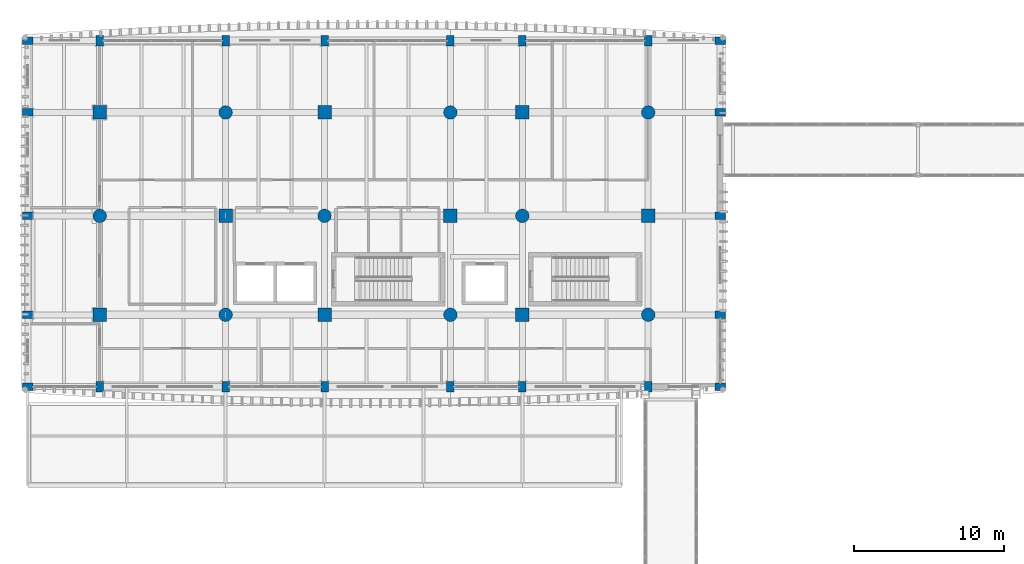
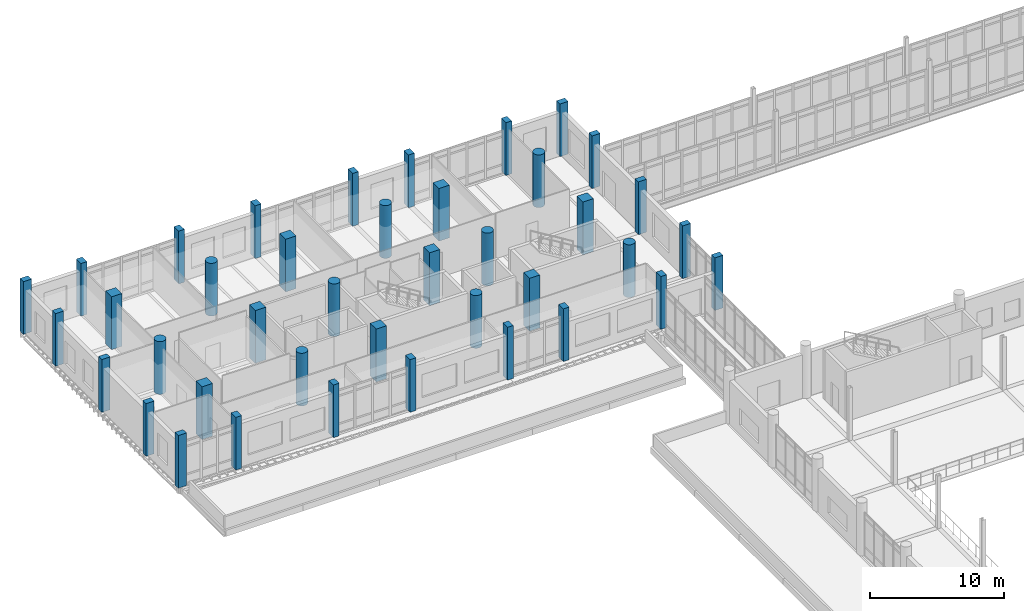
# One storey, part 7 of 125: 40 columns.
"""IFC4 building model written with IfcOpenShell, lengths in metres."""

from ifc_helpers import new_model, si_unit, direction, frame, origin, origin_2d, place, context, subcontext, project, spatial, rectangle, circle, extrude, material, material_profile, profile_set, type_object, element, save


model = new_model("IFC4")

# Units and contexts
model_context = context("Model", 3, precision=1e-05, world=origin(), true_north=direction((0.0, 1.0)))
body_context = subcontext(model_context, "Body", "Model", "MODEL_VIEW")
ifc_project = project(units=[si_unit("LENGTHUNIT", "METRE"), si_unit("AREAUNIT", "SQUARE_METRE"), si_unit("VOLUMEUNIT", "CUBIC_METRE"), si_unit("PLANEANGLEUNIT", "RADIAN"), si_unit("MASSUNIT", "GRAM", prefix="KILO")], contexts=[model_context])

# Site, building, storey
site_placement = place(None, origin())
site = spatial("IfcSite", under=ifc_project, at=site_placement, CompositionType="ELEMENT")
building_placement = place(site_placement, origin())
building = spatial("IfcBuilding", under=site, at=building_placement, Name="Dornvale Research Institute", CompositionType="ELEMENT")
storey_placement = place(building_placement, frame((0.0, 0.0, 5.39990234375)))
storey = spatial("IfcBuildingStorey", under=building, at=storey_placement, Name="L01", CompositionType="ELEMENT", Elevation=5.39990234375)

# Columns
ifc_material_1 = material(Name="Concrete f'c 50 MPa (C40/50)", Category="concrete")
ifc_material_profile_1 = material_profile(ifc_material_1, rectangle(XDim=0.89990234375, YDim=0.89990234375, at=origin_2d()), Name="RC 900x900")
ifc_profile_set_1 = profile_set([ifc_material_profile_1], Name="Concrete f'c 50 MPa (C40/50)")
column_type_1 = type_object("IfcColumnType", Name="Column_RC900", PredefinedType="COLUMN", material=ifc_profile_set_1)
for number, where, z_axis, x_axis, name in (
    (1, (4.800048828125, 103.800048828125, 0.0), (0.0, 0.0, 1.0), (1.0, 0.0, 0.0), "L01 column #87"),
    (2, (4.800048828125, 117.300048828125, 0.0), (0.0, 0.0, 1.0), (1.0, 0.0, 0.0), "L01 column #89"),
    (3, (13.199951171875, 110.39990234375, 0.0), (0.0, 0.0, 1.0), (1.0, 0.0, 0.0), "L01 column #93"),
    (4, (19.800048828125, 103.800048828125, 0.0), (0.0, 0.0, 1.0), (1.0, 0.0, 0.0), "L01 column #97"),
    (5, (19.800048828125, 117.300048828125, 0.0), (0.0, 0.0, 1.0), (1.0, 0.0, 0.0), "L01 column #99"),
    (6, (28.199951171875, 110.39990234375, 0.0), (0.0, 0.0, 1.0), (1.0, 0.0, 0.0), "L01 column #103"),
    (7, (33.0, 103.800048828125, 0.0), (0.0, 0.0, 1.0), (1.0, 0.0, 0.0), "L01 column #107"),
    (8, (33.0, 117.300048828125, 0.0), (0.0, 0.0, 1.0), (1.0, 0.0, 0.0), "L01 column #109"),
    (9, (41.39990234375, 110.39990234375, 0.0), (0.0, 0.0, 1.0), (1.0, 0.0, 0.0), "L01 column #113"),
):
    element("IfcColumn", number, at=place(storey_placement, frame(where, z_axis=z_axis, x_axis=x_axis)), inside=storey, type_object=column_type_1, Name=name, PredefinedType="COLUMN", context=body_context, shape_type="SweptSolid", body=[
        extrude(rectangle(XDim=0.89990234375, YDim=0.89990234375, at=origin_2d()), origin(), (0.0, 0.0, 1.0), 4.800048828125),
    ])
ifc_material_2 = material(Name="Concrete f'c 50 MPa (C40/50)", Category="concrete")
ifc_material_profile_2 = material_profile(ifc_material_2, circle(Radius=0.449951171875, at=origin_2d()), Name="RC DIA 900")
ifc_profile_set_2 = profile_set([ifc_material_profile_2], Name="Concrete f'c 50 MPa (C40/50)")
column_type_2 = type_object("IfcColumnType", Name="Column_RCDia900", PredefinedType="COLUMN", material=ifc_profile_set_2)
for number, where, z_axis, x_axis, name in (
    (10, (4.800048828125, 110.39990234375, 0.0), (0.0, 0.0, 1.0), (1.0, 0.0, 0.0), "L01 column #88"),
    (11, (13.199951171875, 103.800048828125, 0.0), (0.0, 0.0, 1.0), (1.0, 0.0, 0.0), "L01 column #92"),
    (12, (13.199951171875, 117.300048828125, 0.0), (0.0, 0.0, 1.0), (1.0, 0.0, 0.0), "L01 column #94"),
    (13, (19.800048828125, 110.39990234375, 0.0), (0.0, 0.0, 1.0), (1.0, 0.0, 0.0), "L01 column #98"),
    (14, (28.199951171875, 103.800048828125, 0.0), (0.0, 0.0, 1.0), (1.0, 0.0, 0.0), "L01 column #102"),
    (15, (28.199951171875, 117.300048828125, 0.0), (0.0, 0.0, 1.0), (1.0, 0.0, 0.0), "L01 column #104"),
    (16, (33.0, 110.39990234375, 0.0), (0.0, 0.0, 1.0), (1.0, 0.0, 0.0), "L01 column #108"),
    (17, (41.39990234375, 103.800048828125, 0.0), (0.0, 0.0, 1.0), (1.0, 0.0, 0.0), "L01 column #112"),
    (18, (41.39990234375, 117.300048828125, 0.0), (0.0, 0.0, 1.0), (1.0, 0.0, 0.0), "L01 column #114"),
):
    element("IfcColumn", number, at=place(storey_placement, frame(where, z_axis=z_axis, x_axis=x_axis)), inside=storey, type_object=column_type_2, Name=name, PredefinedType="COLUMN", context=body_context, shape_type="SweptSolid", body=[
        extrude(circle(Radius=0.449951171875, at=origin_2d()), origin(), (0.0, 0.0, 1.0), 4.800048828125),
    ])
ifc_material_3 = material(Name="Concrete f'c 50 MPa (C40/50)", Category="concrete")
ifc_material_profile_3 = material_profile(ifc_material_3, rectangle(XDim=0.5, YDim=0.699951171875, at=origin_2d()), Name="RC 500x700")
ifc_profile_set_3 = profile_set([ifc_material_profile_3], Name="Concrete f'c 50 MPa (C40/50)")
column_type_3 = type_object("IfcColumnType", Name="Pilaster_RC500x700_Ext", PredefinedType="PILASTER", material=ifc_profile_set_3)
for number, where, z_axis, x_axis, name in (
    (19, (0.0, 99.0, 0.0), (0.0, 0.0, 1.0), (0.0, 1.0, 0.0), "L01 column #81"),
    (20, (0.0, 103.800048828125, 0.0), (0.0, 0.0, 1.0), (0.0, 1.0, 0.0), "L01 column #82"),
    (21, (0.0, 110.39990234375, 0.0), (0.0, 0.0, 1.0), (0.0, 1.0, 0.0), "L01 column #83"),
    (22, (0.0, 117.300048828125, 0.0), (0.0, 0.0, 1.0), (0.0, 1.0, 0.0), "L01 column #84"),
    (23, (0.0, 122.10009765625, 0.0), (0.0, 0.0, 1.0), (0.0, 1.0, 0.0), "L01 column #85"),
    (24, (4.800048828125, 99.0, 0.0), (0.0, 0.0, 1.0), (1.0, 0.0, 0.0), "L01 column #86"),
    (25, (4.800048828125, 122.10009765625, 0.0), (0.0, 0.0, 1.0), (1.0, 0.0, 0.0), "L01 column #90"),
    (26, (13.199951171875, 99.0, 0.0), (0.0, 0.0, 1.0), (1.0, 0.0, 0.0), "L01 column #91"),
    (27, (13.199951171875, 122.10009765625, 0.0), (0.0, 0.0, 1.0), (1.0, 0.0, 0.0), "L01 column #95"),
    (28, (19.800048828125, 99.0, 0.0), (0.0, 0.0, 1.0), (1.0, 0.0, 0.0), "L01 column #96"),
    (29, (19.800048828125, 122.10009765625, 0.0), (0.0, 0.0, 1.0), (1.0, 0.0, 0.0), "L01 column #100"),
    (30, (28.199951171875, 99.0, 0.0), (0.0, 0.0, 1.0), (1.0, 0.0, 0.0), "L01 column #101"),
    (31, (28.199951171875, 122.10009765625, 0.0), (0.0, 0.0, 1.0), (1.0, 0.0, 0.0), "L01 column #105"),
    (32, (33.0, 99.0, 0.0), (0.0, 0.0, 1.0), (1.0, 0.0, 0.0), "L01 column #106"),
    (33, (33.0, 122.10009765625, 0.0), (0.0, 0.0, 1.0), (1.0, 0.0, 0.0), "L01 column #110"),
    (34, (41.39990234375, 99.0, 0.0), (0.0, 0.0, 1.0), (1.0, 0.0, 0.0), "L01 column #111"),
    (35, (41.39990234375, 122.10009765625, 0.0), (0.0, 0.0, 1.0), (1.0, 0.0, 0.0), "L01 column #115"),
    (36, (46.199951171875, 99.0, 0.0), (0.0, 0.0, 1.0), (0.0, 1.0, 0.0), "L01 column #116"),
    (37, (46.199951171875, 103.800048828125, 0.0), (0.0, 0.0, 1.0), (0.0, 1.0, 0.0), "L01 column #117"),
    (38, (46.199951171875, 110.39990234375, 0.0), (0.0, 0.0, 1.0), (0.0, 1.0, 0.0), "L01 column #118"),
    (39, (46.199951171875, 117.300048828125, 0.0), (0.0, 0.0, 1.0), (0.0, 1.0, 0.0), "L01 column #119"),
    (40, (46.199951171875, 122.10009765625, 0.0), (0.0, 0.0, 1.0), (0.0, 1.0, 0.0), "L01 column #120"),
):
    element("IfcColumn", number, at=place(storey_placement, frame(where, z_axis=z_axis, x_axis=x_axis)), inside=storey, type_object=column_type_3, Name=name, PredefinedType="PILASTER", context=body_context, shape_type="SweptSolid", body=[
        extrude(rectangle(XDim=0.5, YDim=0.699951171875, at=origin_2d()), origin(), (0.0, 0.0, 1.0), 4.800048828125),
    ])

save(model, "model.ifc")
